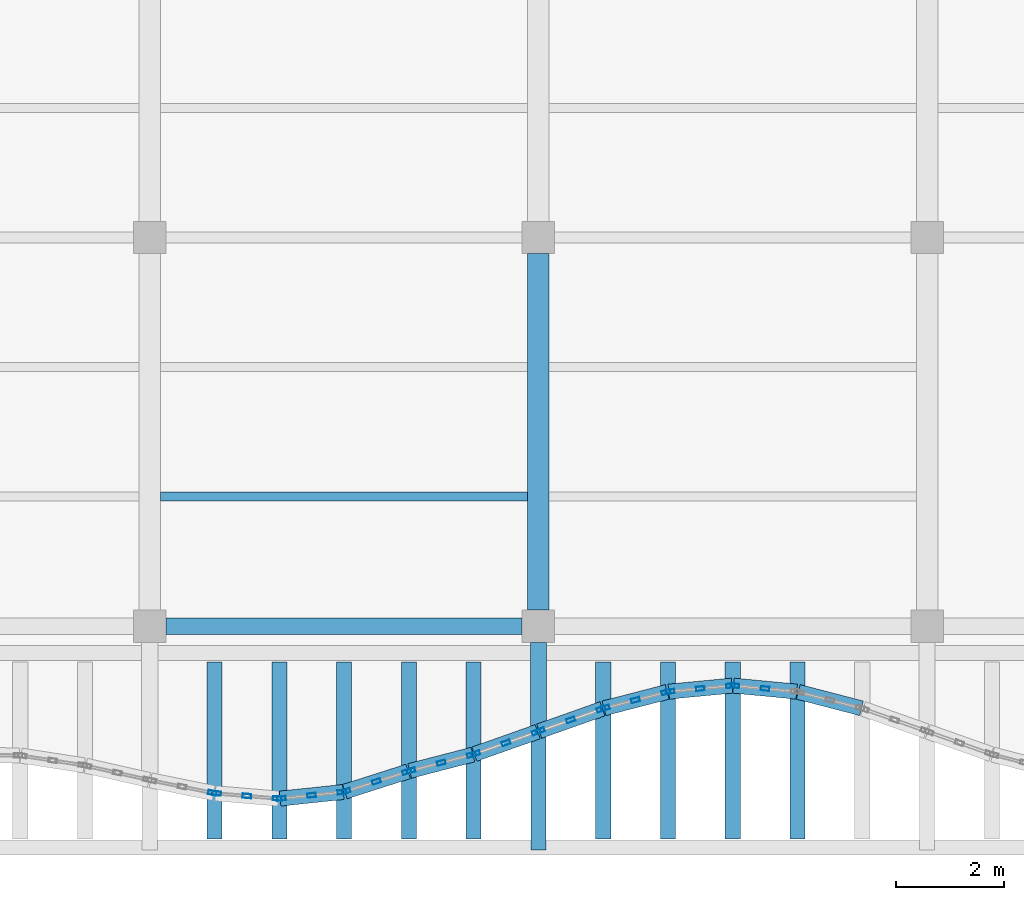
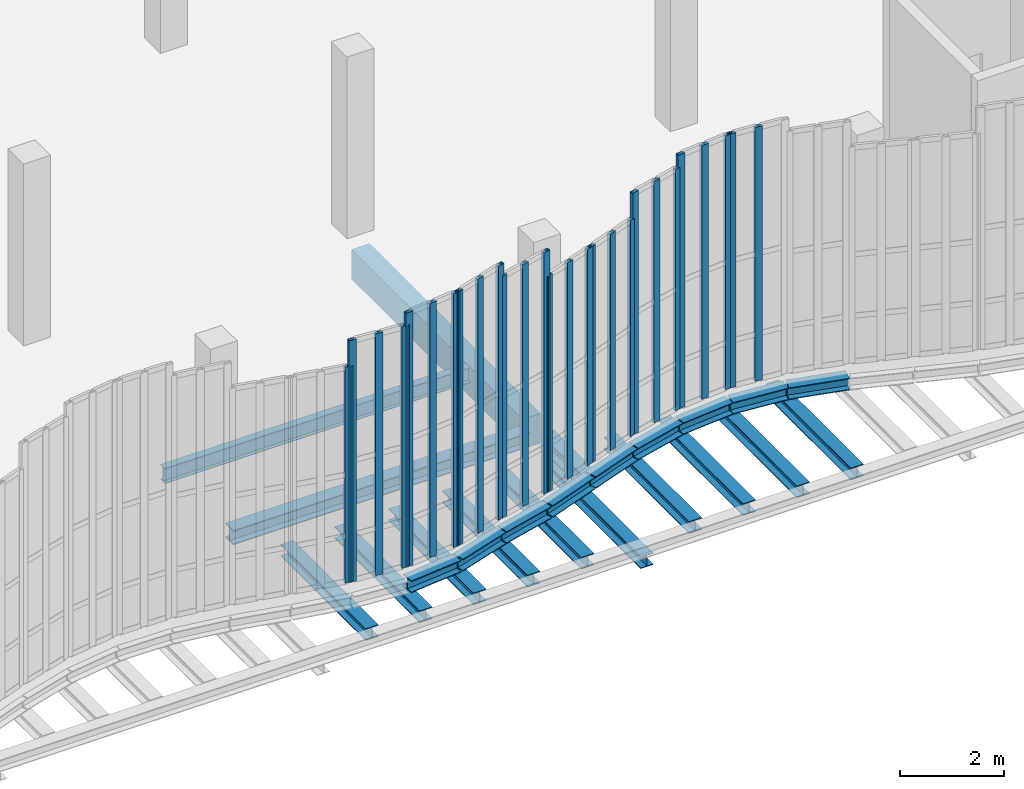
# One storey, part 21 of 76: 27 members, 23 beams, 10 elements without a shape of their own.
"""IFC4 building model written with IfcOpenShell, lengths in metres."""

from ifc_helpers import new_model, si_unit, direction, frame, origin, origin_2d, place, context, subcontext, project, spatial, rectangle, hollow_rectangle, i_section, extrude, material, layer, layer_set, material_profile, profile_set, type_object, element, aggregate, save


model = new_model("IFC4")

# Units and contexts
model_context = context("Model", 3, precision=1e-05, world=origin(), true_north=direction((0.0, 1.0)))
body_context = subcontext(model_context, "Body", "Model", "MODEL_VIEW")
ifc_project = project(units=[si_unit("LENGTHUNIT", "METRE"), si_unit("AREAUNIT", "SQUARE_METRE"), si_unit("VOLUMEUNIT", "CUBIC_METRE"), si_unit("PLANEANGLEUNIT", "RADIAN"), si_unit("MASSUNIT", "GRAM", prefix="KILO"), si_unit("THERMODYNAMICTEMPERATUREUNIT", "KELVIN"), si_unit("POWERUNIT", "WATT")], contexts=[model_context])

# Site, building, storey
site_placement = place(None, origin())
site = spatial("IfcSite", under=ifc_project, at=site_placement, CompositionType="ELEMENT")
building_placement = place(site_placement, origin())
building = spatial("IfcBuilding", under=site, at=building_placement, Name="Kaldorven Railside Theatre", CompositionType="ELEMENT")
storey_placement = place(building_placement, frame((0.0, 0.0, 14.39990234375)))
storey = spatial("IfcBuildingStorey", under=building, at=storey_placement, Name="L03", CompositionType="ELEMENT", Elevation=14.39990234375)

# Beams
ifc_material_1 = material(Name="Steel S355", Category="steel")
ifc_material_profile_1 = material_profile(ifc_material_1, i_section(OverallWidth=0.280029296875, OverallDepth=0.280029296875, WebThickness=0.010498046875, FlangeThickness=0.01806640625, at=origin_2d()), Name="HEB 280")
ifc_profile_set_1 = profile_set([ifc_material_profile_1], Name="Steel S355")
beam_type_1 = type_object("IfcBeamType", Name="BM-HEB280", PredefinedType="SPANDREL", material=ifc_profile_set_1)
beam_1_placement = place(storey_placement, frame((94.39990234375, 15.050048828125, -0.97998046875), z_axis=(0.0, 1.0, 0.0), x_axis=(-1.0, 0.0, 0.0)))
element("IfcBeam", 1, at=beam_1_placement, inside=storey, type_object=beam_type_1, Name="L03 Sinusoidal Lower Cantilever Girder FOB-K034", PredefinedType="SPANDREL", context=body_context, shape_type="SweptSolid", body=[
    extrude(i_section(OverallWidth=0.280029296875, OverallDepth=0.280029296875, WebThickness=0.010498046875, FlangeThickness=0.01806640625, at=origin_2d()), origin(), (0.0, 0.0, 1.0), 3.849853515625),
])
beam_2_placement = place(storey_placement, frame((88.39990234375, 15.260009765625, -0.699951171875), z_axis=(0.0, 1.0, 0.0), x_axis=(-1.0, 0.0, 0.0)))
element("IfcBeam", 2, at=beam_2_placement, inside=storey, type_object=beam_type_1, Name="L03 Sinusoidal Diaphragm Rib Outrigger FOB-M188", PredefinedType="SPANDREL", context=body_context, shape_type="SweptSolid", body=[
    extrude(i_section(OverallWidth=0.280029296875, OverallDepth=0.280029296875, WebThickness=0.010498046875, FlangeThickness=0.01806640625, at=origin_2d()), origin(), (0.0, 0.0, 1.0), 3.280029296875),
])
beam_3_placement = place(storey_placement, frame((89.614990234375, 16.005859375, -0.419921875), z_axis=(0.994538375892, 0.104371542473, 0.0), x_axis=(-0.104371542473, 0.994538375892, 0.0)))
element("IfcBeam", 3, at=beam_3_placement, inside=storey, type_object=beam_type_1, Name="L03 Sinusoidal Flute Edge Spandrel FSB-189", PredefinedType="SPANDREL", context=body_context, shape_type="SweptSolid", body=[
    extrude(i_section(OverallWidth=0.280029296875, OverallDepth=0.280029296875, WebThickness=0.010498046875, FlangeThickness=0.01806640625, at=origin_2d()), origin(), (0.0, 0.0, 1.0), 1.176513671875),
])
beam_4_placement = place(storey_placement, frame((89.60009765625, 15.260009765625, -0.699951171875), z_axis=(0.0, 1.0, 0.0), x_axis=(-1.0, 0.0, 0.0)))
element("IfcBeam", 4, at=beam_4_placement, inside=storey, type_object=beam_type_1, Name="L03 Sinusoidal Diaphragm Rib Outrigger FOB-M189", PredefinedType="SPANDREL", context=body_context, shape_type="SweptSolid", body=[
    extrude(i_section(OverallWidth=0.280029296875, OverallDepth=0.280029296875, WebThickness=0.010498046875, FlangeThickness=0.01806640625, at=origin_2d()), origin(), (0.0, 0.0, 1.0), 3.280029296875),
])
beam_5_placement = place(storey_placement, frame((90.814208984375, 16.135009765625, -0.419921875), z_axis=(0.952560057376, 0.304350681108, 0.0), x_axis=(-0.304350681108, 0.952560057376, 0.0)))
element("IfcBeam", 5, at=beam_5_placement, inside=storey, type_object=beam_type_1, Name="L03 Sinusoidal Flute Edge Spandrel FSB-190", PredefinedType="SPANDREL", context=body_context, shape_type="SweptSolid", body=[
    extrude(i_section(OverallWidth=0.280029296875, OverallDepth=0.280029296875, WebThickness=0.010498046875, FlangeThickness=0.01806640625, at=origin_2d()), origin(), (0.0, 0.0, 1.0), 1.229736328125),
])
beam_6_placement = place(storey_placement, frame((90.800048828125, 15.260009765625, -0.699951171875), z_axis=(0.0, 1.0, 0.0), x_axis=(-1.0, 0.0, 0.0)))
element("IfcBeam", 6, at=beam_6_placement, inside=storey, type_object=beam_type_1, Name="L03 Sinusoidal Diaphragm Rib Outrigger FOB-M190", PredefinedType="SPANDREL", context=body_context, shape_type="SweptSolid", body=[
    extrude(i_section(OverallWidth=0.280029296875, OverallDepth=0.280029296875, WebThickness=0.010498046875, FlangeThickness=0.01806640625, at=origin_2d()), origin(), (0.0, 0.0, 1.0), 3.280029296875),
])
beam_7_placement = place(storey_placement, frame((92.014404296875, 16.517578125, -0.419921875), z_axis=(0.967980555895, 0.25102518481, 0.0), x_axis=(-0.25102518481, 0.967980555895, 0.0)))
element("IfcBeam", 7, at=beam_7_placement, inside=storey, type_object=beam_type_1, Name="L03 Sinusoidal Flute Edge Spandrel FSB-191", PredefinedType="SPANDREL", context=body_context, shape_type="SweptSolid", body=[
    extrude(i_section(OverallWidth=0.280029296875, OverallDepth=0.280029296875, WebThickness=0.010498046875, FlangeThickness=0.01806640625, at=origin_2d()), origin(), (0.0, 0.0, 1.0), 1.2099609375),
])
beam_8_placement = place(storey_placement, frame((92.0, 15.260009765625, -0.699951171875), z_axis=(0.0, 1.0, 0.0), x_axis=(-1.0, 0.0, 0.0)))
element("IfcBeam", 8, at=beam_8_placement, inside=storey, type_object=beam_type_1, Name="L03 Sinusoidal Diaphragm Rib Outrigger FOB-M191", PredefinedType="SPANDREL", context=body_context, shape_type="SweptSolid", body=[
    extrude(i_section(OverallWidth=0.280029296875, OverallDepth=0.280029296875, WebThickness=0.010498046875, FlangeThickness=0.01806640625, at=origin_2d()), origin(), (0.0, 0.0, 1.0), 3.280029296875),
])
beam_9_placement = place(storey_placement, frame((93.214111328125, 16.830078125, -0.419921875), z_axis=(0.942627225161, 0.333847142245, 0.0), x_axis=(-0.333847142245, 0.942627225161, 0.0)))
element("IfcBeam", 9, at=beam_9_placement, inside=storey, type_object=beam_type_1, Name="L03 Sinusoidal Flute Edge Spandrel FSB-192", PredefinedType="SPANDREL", context=body_context, shape_type="SweptSolid", body=[
    extrude(i_section(OverallWidth=0.280029296875, OverallDepth=0.280029296875, WebThickness=0.010498046875, FlangeThickness=0.01806640625, at=origin_2d()), origin(), (0.0, 0.0, 1.0), 1.2431640625),
])
beam_10_placement = place(storey_placement, frame((93.199951171875, 15.260009765625, -0.699951171875), z_axis=(0.0, 1.0, 0.0), x_axis=(-1.0, 0.0, 0.0)))
element("IfcBeam", 10, at=beam_10_placement, inside=storey, type_object=beam_type_1, Name="L03 Sinusoidal Diaphragm Rib Outrigger FOB-M192", PredefinedType="SPANDREL", context=body_context, shape_type="SweptSolid", body=[
    extrude(i_section(OverallWidth=0.280029296875, OverallDepth=0.280029296875, WebThickness=0.010498046875, FlangeThickness=0.01806640625, at=origin_2d()), origin(), (0.0, 0.0, 1.0), 3.280029296875),
])
beam_11_placement = place(storey_placement, frame((94.4140625, 17.2548828125, -0.419921875), z_axis=(0.942627225161, 0.333847142245, 0.0), x_axis=(-0.333847142245, 0.942627225161, 0.0)))
element("IfcBeam", 11, at=beam_11_placement, inside=storey, type_object=beam_type_1, Name="L03 Sinusoidal Flute Edge Spandrel FSB-193", PredefinedType="SPANDREL", context=body_context, shape_type="SweptSolid", body=[
    extrude(i_section(OverallWidth=0.280029296875, OverallDepth=0.280029296875, WebThickness=0.010498046875, FlangeThickness=0.01806640625, at=origin_2d()), origin(), (0.0, 0.0, 1.0), 1.2431640625),
])
beam_12_placement = place(storey_placement, frame((95.614501953125, 17.6787109375, -0.419921875), z_axis=(0.967967836725, 0.251074226206, 0.0), x_axis=(-0.251074226206, 0.967967836725, 0.0)))
element("IfcBeam", 12, at=beam_12_placement, inside=storey, type_object=beam_type_1, Name="L03 Sinusoidal Flute Edge Spandrel FSB-194", PredefinedType="SPANDREL", context=body_context, shape_type="SweptSolid", body=[
    extrude(i_section(OverallWidth=0.280029296875, OverallDepth=0.280029296875, WebThickness=0.010498046875, FlangeThickness=0.01806640625, at=origin_2d()), origin(), (0.0, 0.0, 1.0), 1.209716796875),
])
beam_13_placement = place(storey_placement, frame((95.60009765625, 15.260009765625, -0.699951171875), z_axis=(0.0, 1.0, 0.0), x_axis=(-1.0, 0.0, 0.0)))
element("IfcBeam", 13, at=beam_13_placement, inside=storey, type_object=beam_type_1, Name="L03 Sinusoidal Diaphragm Rib Outrigger FOB-M194", PredefinedType="SPANDREL", context=body_context, shape_type="SweptSolid", body=[
    extrude(i_section(OverallWidth=0.280029296875, OverallDepth=0.280029296875, WebThickness=0.010498046875, FlangeThickness=0.01806640625, at=origin_2d()), origin(), (0.0, 0.0, 1.0), 3.280029296875),
])
beam_14_placement = place(storey_placement, frame((96.81494140625, 17.987548828125, -0.419921875), z_axis=(0.99552436473, 0.094505233873, 0.0), x_axis=(-0.094505233873, 0.99552436473, 0.0)))
element("IfcBeam", 14, at=beam_14_placement, inside=storey, type_object=beam_type_1, Name="L03 Sinusoidal Flute Edge Spandrel FSB-195", PredefinedType="SPANDREL", context=body_context, shape_type="SweptSolid", body=[
    extrude(i_section(OverallWidth=0.280029296875, OverallDepth=0.280029296875, WebThickness=0.010498046875, FlangeThickness=0.01806640625, at=origin_2d()), origin(), (0.0, 0.0, 1.0), 1.175537109375),
])
beam_15_placement = place(storey_placement, frame((96.800048828125, 15.260009765625, -0.699951171875), z_axis=(0.0, 1.0, 0.0), x_axis=(-1.0, 0.0, 0.0)))
element("IfcBeam", 15, at=beam_15_placement, inside=storey, type_object=beam_type_1, Name="L03 Sinusoidal Diaphragm Rib Outrigger FOB-M195", PredefinedType="SPANDREL", context=body_context, shape_type="SweptSolid", body=[
    extrude(i_section(OverallWidth=0.280029296875, OverallDepth=0.280029296875, WebThickness=0.010498046875, FlangeThickness=0.01806640625, at=origin_2d()), origin(), (0.0, 0.0, 1.0), 3.280029296875),
])
beam_16_placement = place(storey_placement, frame((98.014892578125, 18.0986328125, -0.419921875), z_axis=(0.99552436473, -0.094505233873, 0.0), x_axis=(0.094505233873, 0.99552436473, 0.0)))
element("IfcBeam", 16, at=beam_16_placement, inside=storey, type_object=beam_type_1, Name="L03 Sinusoidal Flute Edge Spandrel FSB-196", PredefinedType="SPANDREL", context=body_context, shape_type="SweptSolid", body=[
    extrude(i_section(OverallWidth=0.280029296875, OverallDepth=0.280029296875, WebThickness=0.010498046875, FlangeThickness=0.01806640625, at=origin_2d()), origin(), (0.0, 0.0, 1.0), 1.175537109375),
])
beam_17_placement = place(storey_placement, frame((98.0, 15.260009765625, -0.699951171875), z_axis=(0.0, 1.0, 0.0), x_axis=(-1.0, 0.0, 0.0)))
element("IfcBeam", 17, at=beam_17_placement, inside=storey, type_object=beam_type_1, Name="L03 Sinusoidal Diaphragm Rib Outrigger FOB-M196", PredefinedType="SPANDREL", context=body_context, shape_type="SweptSolid", body=[
    extrude(i_section(OverallWidth=0.280029296875, OverallDepth=0.280029296875, WebThickness=0.010498046875, FlangeThickness=0.01806640625, at=origin_2d()), origin(), (0.0, 0.0, 1.0), 3.280029296875),
])
beam_18_placement = place(storey_placement, frame((99.214599609375, 17.982421875, -0.419921875), z_axis=(0.967967836725, -0.251074226206, 0.0), x_axis=(0.251074226206, 0.967967836725, 0.0)))
element("IfcBeam", 18, at=beam_18_placement, inside=storey, type_object=beam_type_1, Name="L03 Sinusoidal Flute Edge Spandrel FSB-197", PredefinedType="SPANDREL", context=body_context, shape_type="SweptSolid", body=[
    extrude(i_section(OverallWidth=0.280029296875, OverallDepth=0.280029296875, WebThickness=0.010498046875, FlangeThickness=0.01806640625, at=origin_2d()), origin(), (0.0, 0.0, 1.0), 1.209716796875),
])
beam_19_placement = place(storey_placement, frame((99.199951171875, 15.260009765625, -0.699951171875), z_axis=(0.0, 1.0, 0.0), x_axis=(-1.0, 0.0, 0.0)))
element("IfcBeam", 19, at=beam_19_placement, inside=storey, type_object=beam_type_1, Name="L03 Sinusoidal Diaphragm Rib Outrigger FOB-M197", PredefinedType="SPANDREL", context=body_context, shape_type="SweptSolid", body=[
    extrude(i_section(OverallWidth=0.280029296875, OverallDepth=0.280029296875, WebThickness=0.010498046875, FlangeThickness=0.01806640625, at=origin_2d()), origin(), (0.0, 0.0, 1.0), 3.280029296875),
])
ifc_material_profile_2 = material_profile(ifc_material_1, i_section(OverallWidth=0.300048828125, OverallDepth=0.340087890625, WebThickness=0.011962890625, FlangeThickness=0.021484375, at=origin_2d()), Name="HEB 340")
ifc_profile_set_2 = profile_set([ifc_material_profile_2], Name="Steel S355")
beam_type_2 = type_object("IfcBeamType", Name="BM-HEB340", PredefinedType="SPANDREL", material=ifc_profile_set_2)
beam_20_placement = place(storey_placement, frame((87.5, 19.199951171875, -0.449951171875), z_axis=(1.0, 0.0, 0.0), x_axis=(0.0, 1.0, 0.0)))
element("IfcBeam", 20, at=beam_20_placement, inside=storey, type_object=beam_type_2, Name="L03 Girder BGX-L03-087-019", PredefinedType="SPANDREL", context=body_context, shape_type="SweptSolid", body=[
    extrude(i_section(OverallWidth=0.300048828125, OverallDepth=0.340087890625, WebThickness=0.011962890625, FlangeThickness=0.021484375, at=origin_2d()), origin(), (0.0, 0.0, 1.0), 6.60009765625),
])
beam_21_placement = place(storey_placement, frame((94.39990234375, 17.31005859375, -0.449951171875), z_axis=(0.0, 1.0, 0.0), x_axis=(-1.0, 0.0, 0.0)))
element("IfcBeam", 21, at=beam_21_placement, inside=storey, type_object=beam_type_2, Name="L03 Sinusoidal Veil Outrigger FOB-3094", PredefinedType="SPANDREL", context=body_context, shape_type="SweptSolid", body=[
    extrude(i_section(OverallWidth=0.300048828125, OverallDepth=0.340087890625, WebThickness=0.011962890625, FlangeThickness=0.021484375, at=origin_2d()), origin(), (0.0, 0.0, 1.0), 1.58984375),
])
ifc_material_profile_3 = material_profile(ifc_material_1, i_section(OverallWidth=0.169921875, OverallDepth=0.360107421875, WebThickness=0.008056640625, FlangeThickness=0.0126953125, at=origin_2d()), Name="IPE 360")
ifc_profile_set_3 = profile_set([ifc_material_profile_3], Name="Steel S355")
beam_type_3 = type_object("IfcBeamType", Name="BM-IPE360", PredefinedType="JOIST", material=ifc_profile_set_3)
beam_22_placement = place(storey_placement, frame((87.39990234375, 21.60009765625, -0.4599609375), z_axis=(1.0, 0.0, 0.0), x_axis=(0.0, 1.0, 0.0)))
element("IfcBeam", 22, at=beam_22_placement, inside=storey, type_object=beam_type_3, Name="L03 Secondary Floor Joist JG-L03-087-0216", PredefinedType="JOIST", context=body_context, shape_type="SweptSolid", body=[
    extrude(i_section(OverallWidth=0.169921875, OverallDepth=0.360107421875, WebThickness=0.008056640625, FlangeThickness=0.0126953125, at=origin_2d()), origin(), (0.0, 0.0, 1.0), 6.800048828125),
])
ifc_material_2 = material(Name="Concrete C40/50", Category="concrete")
ifc_material_profile_4 = material_profile(ifc_material_2, rectangle(XDim=0.39990234375, YDim=0.699951171875, at=origin_2d()), Name="RC 400x700")
ifc_profile_set_4 = profile_set([ifc_material_profile_4], Name="Concrete C40/50")
beam_type_4 = type_object("IfcBeamType", Name="BM-RC400x700", PredefinedType="BEAM", material=ifc_profile_set_4)
beam_23_placement = place(storey_placement, frame((94.39990234375, 19.5, -0.6298828125), z_axis=(0.0, 1.0, 0.0), x_axis=(-1.0, 0.0, 0.0)))
element("IfcBeam", 23, at=beam_23_placement, inside=storey, type_object=beam_type_4, Name="L03 Girder BGY-L03-094-019-72", PredefinedType="BEAM", context=body_context, shape_type="SweptSolid", body=[
    extrude(rectangle(XDim=0.39990234375, YDim=0.699951171875, at=origin_2d()), origin(), (0.0, 0.0, 1.0), 6.60009765625),
])

# Curtain wall, member
ifc_material_3 = material(Name="Low-E laminated solar-control glass", Category="glass")
ifc_layer_1 = layer(ifc_material_3, 0.159912109375, Name="Low-E laminated solar-control glass")
ifc_layer_set_1 = layer_set([ifc_layer_1], Name="Low-E laminated solar-control glass")
curtain_wall_type_1 = type_object("IfcCurtainWallType", Name="CWT-20", PredefinedType="USERDEFINED", material=ifc_layer_set_1)
curtain_wall_1_placement = place(storey_placement, origin())
curtain_wall_1 = element("IfcCurtainWall", 24, at=curtain_wall_1_placement, inside=storey, type_object=curtain_wall_type_1, Name="Sinusoidal Fluted Curtain Wall CW-L03-S43", ObjectType="FLUTED GLAZING", PredefinedType="USERDEFINED")
ifc_material_4 = material(Name="Anodised bronze aluminium", Category="aluminium")
ifc_material_profile_5 = material_profile(ifc_material_4, hollow_rectangle(XDim=0.080078125, YDim=0.159912109375, WallThickness=0.00634765625, at=origin_2d()), Name="RHS 160x80x6.3")
ifc_profile_set_5 = profile_set([ifc_material_profile_5], Name="Anodised bronze aluminium")
member_type = type_object("IfcMemberType", Name="CWM-160", PredefinedType="MULLION", material=ifc_profile_set_5)
member_1_placement = place(storey_placement, frame((88.36083984375, 16.1123046875, 0.0), z_axis=(0.0, 0.0, 1.0), x_axis=(0.198393134453, 0.980122525097, 0.0)))
member_1 = element("IfcMember", 25, at=member_1_placement, type_object=member_type, Name="CW-L03-S43 mullion 3", PredefinedType="MULLION", context=body_context, shape_type="SweptSolid", body=[
    extrude(hollow_rectangle(XDim=0.080078125, YDim=0.159912109375, WallThickness=0.00634765625, at=origin_2d()), origin(), (0.0, 0.0, 1.0), 5.090087890625),
])
aggregate(curtain_wall_1, [member_1])

# Curtain wall, members
ifc_layer_2 = layer(ifc_material_3, 0.159912109375, Name="Low-E laminated solar-control glass")
ifc_layer_set_2 = layer_set([ifc_layer_2], Name="Low-E laminated solar-control glass")
curtain_wall_type_2 = type_object("IfcCurtainWallType", Name="CWT-21", PredefinedType="USERDEFINED", material=ifc_layer_set_2)
curtain_wall_2_placement = place(storey_placement, origin())
curtain_wall_2 = element("IfcCurtainWall", 26, at=curtain_wall_2_placement, inside=storey, type_object=curtain_wall_type_2, Name="Sinusoidal Fluted Curtain Wall CW-L03-S44", ObjectType="FLUTED GLAZING", PredefinedType="USERDEFINED")
member_2_placement = place(storey_placement, frame((88.43994140625, 16.10107421875, 0.0), z_axis=(0.0, 0.0, 1.0), x_axis=(0.08321042194, 0.996531999326, 0.0)))
member_2 = element("IfcMember", 27, at=member_2_placement, type_object=member_type, Name="CW-L03-S44 mullion 1", PredefinedType="MULLION", context=body_context, shape_type="SweptSolid", body=[
    extrude(hollow_rectangle(XDim=0.080078125, YDim=0.159912109375, WallThickness=0.00634765625, at=origin_2d()), origin(), (0.0, 0.0, 1.0), 5.690185546875),
])
member_3_placement = place(storey_placement, frame((89.0, 16.05419921875, 0.0), z_axis=(0.0, 0.0, 1.0), x_axis=(0.08321042194, 0.996531999326, 0.0)))
member_3 = element("IfcMember", 28, at=member_3_placement, type_object=member_type, Name="CW-L03-S44 mullion 2", PredefinedType="MULLION", context=body_context, shape_type="SweptSolid", body=[
    extrude(hollow_rectangle(XDim=0.080078125, YDim=0.159912109375, WallThickness=0.00634765625, at=origin_2d()), origin(), (0.0, 0.0, 1.0), 5.690185546875),
])
member_4_placement = place(storey_placement, frame((89.56005859375, 16.007568359375, 0.0), z_axis=(0.0, 0.0, 1.0), x_axis=(0.08321042194, 0.996531999326, 0.0)))
member_4 = element("IfcMember", 29, at=member_4_placement, type_object=member_type, Name="CW-L03-S44 mullion 3", PredefinedType="MULLION", context=body_context, shape_type="SweptSolid", body=[
    extrude(hollow_rectangle(XDim=0.080078125, YDim=0.159912109375, WallThickness=0.00634765625, at=origin_2d()), origin(), (0.0, 0.0, 1.0), 5.690185546875),
])
aggregate(curtain_wall_2, [member_2, member_3, member_4])

ifc_layer_3 = layer(ifc_material_3, 0.159912109375, Name="Low-E laminated solar-control glass")
ifc_layer_set_3 = layer_set([ifc_layer_3], Name="Low-E laminated solar-control glass")
curtain_wall_type_3 = type_object("IfcCurtainWallType", Name="CWT-10", PredefinedType="USERDEFINED", material=ifc_layer_set_3)
curtain_wall_3_placement = place(storey_placement, origin())
curtain_wall_3 = element("IfcCurtainWall", 30, at=curtain_wall_3_placement, inside=storey, type_object=curtain_wall_type_3, Name="Sinusoidal Fluted Curtain Wall CW-L03-S45", ObjectType="FLUTED GLAZING", PredefinedType="USERDEFINED")
member_5_placement = place(storey_placement, frame((89.639892578125, 16.00830078125, 0.0), z_axis=(0.0, 0.0, 1.0), x_axis=(-0.104507902898, 0.994524056135, 0.0)))
member_5 = element("IfcMember", 31, at=member_5_placement, type_object=member_type, Name="CW-L03-S45 mullion 1", PredefinedType="MULLION", context=body_context, shape_type="SweptSolid", body=[
    extrude(hollow_rectangle(XDim=0.080078125, YDim=0.159912109375, WallThickness=0.00634765625, at=origin_2d()), origin(), (0.0, 0.0, 1.0), 5.97998046875),
])
member_6_placement = place(storey_placement, frame((90.199951171875, 16.067138671875, 0.0), z_axis=(0.0, 0.0, 1.0), x_axis=(-0.104507902898, 0.994524056135, 0.0)))
member_6 = element("IfcMember", 32, at=member_6_placement, type_object=member_type, Name="CW-L03-S45 mullion 2", PredefinedType="MULLION", context=body_context, shape_type="SweptSolid", body=[
    extrude(hollow_rectangle(XDim=0.080078125, YDim=0.159912109375, WallThickness=0.00634765625, at=origin_2d()), origin(), (0.0, 0.0, 1.0), 5.97998046875),
])
member_7_placement = place(storey_placement, frame((90.76025390625, 16.126220703125, 0.0), z_axis=(0.0, 0.0, 1.0), x_axis=(-0.104507902898, 0.994524056135, 0.0)))
member_7 = element("IfcMember", 33, at=member_7_placement, type_object=member_type, Name="CW-L03-S45 mullion 3", PredefinedType="MULLION", context=body_context, shape_type="SweptSolid", body=[
    extrude(hollow_rectangle(XDim=0.080078125, YDim=0.159912109375, WallThickness=0.00634765625, at=origin_2d()), origin(), (0.0, 0.0, 1.0), 5.97998046875),
])
aggregate(curtain_wall_3, [member_5, member_6, member_7])

ifc_layer_4 = layer(ifc_material_3, 0.159912109375, Name="Low-E laminated solar-control glass")
ifc_layer_set_4 = layer_set([ifc_layer_4], Name="Low-E laminated solar-control glass")
curtain_wall_type_4 = type_object("IfcCurtainWallType", Name="CWT-11", PredefinedType="USERDEFINED", material=ifc_layer_set_4)
curtain_wall_4_placement = place(storey_placement, origin())
curtain_wall_4 = element("IfcCurtainWall", 34, at=curtain_wall_4_placement, inside=storey, type_object=curtain_wall_type_4, Name="Sinusoidal Fluted Curtain Wall CW-L03-S46", ObjectType="FLUTED GLAZING", PredefinedType="USERDEFINED")
member_8_placement = place(storey_placement, frame((90.838134765625, 16.142578125, 0.0), z_axis=(0.0, 0.0, 1.0), x_axis=(-0.304487700272, 0.952516267779, 0.0)))
member_8 = element("IfcMember", 35, at=member_8_placement, type_object=member_type, Name="CW-L03-S46 mullion 1", PredefinedType="MULLION", context=body_context, shape_type="SweptSolid", body=[
    extrude(hollow_rectangle(XDim=0.080078125, YDim=0.159912109375, WallThickness=0.00634765625, at=origin_2d()), origin(), (0.0, 0.0, 1.0), 5.97998046875),
])
member_9_placement = place(storey_placement, frame((91.39990234375, 16.322021484375, 0.0), z_axis=(0.0, 0.0, 1.0), x_axis=(-0.304487700272, 0.952516267779, 0.0)))
member_9 = element("IfcMember", 36, at=member_9_placement, type_object=member_type, Name="CW-L03-S46 mullion 2", PredefinedType="MULLION", context=body_context, shape_type="SweptSolid", body=[
    extrude(hollow_rectangle(XDim=0.080078125, YDim=0.159912109375, WallThickness=0.00634765625, at=origin_2d()), origin(), (0.0, 0.0, 1.0), 5.97998046875),
])
member_10_placement = place(storey_placement, frame((91.9619140625, 16.501708984375, 0.0), z_axis=(0.0, 0.0, 1.0), x_axis=(-0.304487700272, 0.952516267779, 0.0)))
member_10 = element("IfcMember", 37, at=member_10_placement, type_object=member_type, Name="CW-L03-S46 mullion 3", PredefinedType="MULLION", context=body_context, shape_type="SweptSolid", body=[
    extrude(hollow_rectangle(XDim=0.080078125, YDim=0.159912109375, WallThickness=0.00634765625, at=origin_2d()), origin(), (0.0, 0.0, 1.0), 5.97998046875),
])
aggregate(curtain_wall_4, [member_8, member_9, member_10])

ifc_layer_5 = layer(ifc_material_3, 0.159912109375, Name="Low-E laminated solar-control glass")
ifc_layer_set_5 = layer_set([ifc_layer_5], Name="Low-E laminated solar-control glass")
curtain_wall_type_5 = type_object("IfcCurtainWallType", Name="CWT-09", PredefinedType="USERDEFINED", material=ifc_layer_set_5)
curtain_wall_5_placement = place(storey_placement, origin())
curtain_wall_5 = element("IfcCurtainWall", 38, at=curtain_wall_5_placement, inside=storey, type_object=curtain_wall_type_5, Name="Sinusoidal Fluted Curtain Wall CW-L03-S47", ObjectType="FLUTED GLAZING", PredefinedType="USERDEFINED")
member_11_placement = place(storey_placement, frame((92.038818359375, 16.52392578125, 0.0), z_axis=(0.0, 0.0, 1.0), x_axis=(-0.250953760326, 0.967999075505, 0.0)))
member_11 = element("IfcMember", 39, at=member_11_placement, type_object=member_type, Name="CW-L03-S47 mullion 1", PredefinedType="MULLION", context=body_context, shape_type="SweptSolid", body=[
    extrude(hollow_rectangle(XDim=0.080078125, YDim=0.159912109375, WallThickness=0.00634765625, at=origin_2d()), origin(), (0.0, 0.0, 1.0), 5.690185546875),
])
member_12_placement = place(storey_placement, frame((92.60009765625, 16.66943359375, 0.0), z_axis=(0.0, 0.0, 1.0), x_axis=(-0.250953760326, 0.967999075505, 0.0)))
member_12 = element("IfcMember", 40, at=member_12_placement, type_object=member_type, Name="CW-L03-S47 mullion 2", PredefinedType="MULLION", context=body_context, shape_type="SweptSolid", body=[
    extrude(hollow_rectangle(XDim=0.080078125, YDim=0.159912109375, WallThickness=0.00634765625, at=origin_2d()), origin(), (0.0, 0.0, 1.0), 5.690185546875),
])
member_13_placement = place(storey_placement, frame((93.161376953125, 16.81494140625, 0.0), z_axis=(0.0, 0.0, 1.0), x_axis=(-0.250953760326, 0.967999075505, 0.0)))
member_13 = element("IfcMember", 41, at=member_13_placement, type_object=member_type, Name="CW-L03-S47 mullion 3", PredefinedType="MULLION", context=body_context, shape_type="SweptSolid", body=[
    extrude(hollow_rectangle(XDim=0.080078125, YDim=0.159912109375, WallThickness=0.00634765625, at=origin_2d()), origin(), (0.0, 0.0, 1.0), 5.690185546875),
])
aggregate(curtain_wall_5, [member_11, member_12, member_13])

ifc_layer_6 = layer(ifc_material_3, 0.159912109375, Name="Low-E laminated solar-control glass")
ifc_layer_set_6 = layer_set([ifc_layer_6], Name="Low-E laminated solar-control glass")
curtain_wall_type_6 = type_object("IfcCurtainWallType", Name="CWT-08", PredefinedType="USERDEFINED", material=ifc_layer_set_6)
curtain_wall_6_placement = place(storey_placement, origin())
curtain_wall_6 = element("IfcCurtainWall", 42, at=curtain_wall_6_placement, inside=storey, type_object=curtain_wall_type_6, Name="Sinusoidal Fluted Curtain Wall CW-L03-S48", ObjectType="FLUTED GLAZING", PredefinedType="USERDEFINED")
member_14_placement = place(storey_placement, frame((93.23779296875, 16.83837890625, 0.0), z_axis=(0.0, 0.0, 1.0), x_axis=(-0.33384714225, 0.942627225159, 0.0)))
member_14 = element("IfcMember", 43, at=member_14_placement, type_object=member_type, Name="CW-L03-S48 mullion 1", PredefinedType="MULLION", context=body_context, shape_type="SweptSolid", body=[
    extrude(hollow_rectangle(XDim=0.080078125, YDim=0.159912109375, WallThickness=0.00634765625, at=origin_2d()), origin(), (0.0, 0.0, 1.0), 5.090087890625),
])
member_15_placement = place(storey_placement, frame((93.800048828125, 17.03759765625, 0.0), z_axis=(0.0, 0.0, 1.0), x_axis=(-0.33384714225, 0.942627225159, 0.0)))
member_15 = element("IfcMember", 44, at=member_15_placement, type_object=member_type, Name="CW-L03-S48 mullion 2", PredefinedType="MULLION", context=body_context, shape_type="SweptSolid", body=[
    extrude(hollow_rectangle(XDim=0.080078125, YDim=0.159912109375, WallThickness=0.00634765625, at=origin_2d()), origin(), (0.0, 0.0, 1.0), 5.090087890625),
])
member_16_placement = place(storey_placement, frame((94.3623046875, 17.236572265625, 0.0), z_axis=(0.0, 0.0, 1.0), x_axis=(-0.33384714225, 0.942627225159, 0.0)))
member_16 = element("IfcMember", 45, at=member_16_placement, type_object=member_type, Name="CW-L03-S48 mullion 3", PredefinedType="MULLION", context=body_context, shape_type="SweptSolid", body=[
    extrude(hollow_rectangle(XDim=0.080078125, YDim=0.159912109375, WallThickness=0.00634765625, at=origin_2d()), origin(), (0.0, 0.0, 1.0), 5.090087890625),
])
aggregate(curtain_wall_6, [member_14, member_15, member_16])

curtain_wall_7_placement = place(storey_placement, origin())
curtain_wall_7 = element("IfcCurtainWall", 46, at=curtain_wall_7_placement, inside=storey, type_object=curtain_wall_type_6, Name="Sinusoidal Fluted Curtain Wall CW-L03-S49", ObjectType="FLUTED GLAZING", PredefinedType="USERDEFINED")
member_17_placement = place(storey_placement, frame((94.437744140625, 17.263427734375, 0.0), z_axis=(0.0, 0.0, 1.0), x_axis=(-0.33384714225, 0.942627225159, 0.0)))
member_17 = element("IfcMember", 47, at=member_17_placement, type_object=member_type, Name="CW-L03-S49 mullion 1", PredefinedType="MULLION", context=body_context, shape_type="SweptSolid", body=[
    extrude(hollow_rectangle(XDim=0.080078125, YDim=0.159912109375, WallThickness=0.00634765625, at=origin_2d()), origin(), (0.0, 0.0, 1.0), 5.090087890625),
])
member_18_placement = place(storey_placement, frame((95.0, 17.46240234375, 0.0), z_axis=(0.0, 0.0, 1.0), x_axis=(-0.33384714225, 0.942627225159, 0.0)))
member_18 = element("IfcMember", 48, at=member_18_placement, type_object=member_type, Name="CW-L03-S49 mullion 2", PredefinedType="MULLION", context=body_context, shape_type="SweptSolid", body=[
    extrude(hollow_rectangle(XDim=0.080078125, YDim=0.159912109375, WallThickness=0.00634765625, at=origin_2d()), origin(), (0.0, 0.0, 1.0), 5.090087890625),
])
member_19_placement = place(storey_placement, frame((95.562255859375, 17.66162109375, 0.0), z_axis=(0.0, 0.0, 1.0), x_axis=(-0.33384714225, 0.942627225159, 0.0)))
member_19 = element("IfcMember", 49, at=member_19_placement, type_object=member_type, Name="CW-L03-S49 mullion 3", PredefinedType="MULLION", context=body_context, shape_type="SweptSolid", body=[
    extrude(hollow_rectangle(XDim=0.080078125, YDim=0.159912109375, WallThickness=0.00634765625, at=origin_2d()), origin(), (0.0, 0.0, 1.0), 5.090087890625),
])
aggregate(curtain_wall_7, [member_17, member_18, member_19])

curtain_wall_8_placement = place(storey_placement, origin())
curtain_wall_8 = element("IfcCurtainWall", 50, at=curtain_wall_8_placement, inside=storey, type_object=curtain_wall_type_5, Name="Sinusoidal Fluted Curtain Wall CW-L03-S50", ObjectType="FLUTED GLAZING", PredefinedType="USERDEFINED")
member_20_placement = place(storey_placement, frame((95.638671875, 17.68505859375, 0.0), z_axis=(0.0, 0.0, 1.0), x_axis=(-0.250953760326, 0.967999075505, 0.0)))
member_20 = element("IfcMember", 51, at=member_20_placement, type_object=member_type, Name="CW-L03-S50 mullion 1", PredefinedType="MULLION", context=body_context, shape_type="SweptSolid", body=[
    extrude(hollow_rectangle(XDim=0.080078125, YDim=0.159912109375, WallThickness=0.00634765625, at=origin_2d()), origin(), (0.0, 0.0, 1.0), 5.690185546875),
])
member_21_placement = place(storey_placement, frame((96.199951171875, 17.83056640625, 0.0), z_axis=(0.0, 0.0, 1.0), x_axis=(-0.250953760326, 0.967999075505, 0.0)))
member_21 = element("IfcMember", 52, at=member_21_placement, type_object=member_type, Name="CW-L03-S50 mullion 2", PredefinedType="MULLION", context=body_context, shape_type="SweptSolid", body=[
    extrude(hollow_rectangle(XDim=0.080078125, YDim=0.159912109375, WallThickness=0.00634765625, at=origin_2d()), origin(), (0.0, 0.0, 1.0), 5.690185546875),
])
member_22_placement = place(storey_placement, frame((96.76123046875, 17.97607421875, 0.0), z_axis=(0.0, 0.0, 1.0), x_axis=(-0.250953760326, 0.967999075505, 0.0)))
member_22 = element("IfcMember", 53, at=member_22_placement, type_object=member_type, Name="CW-L03-S50 mullion 3", PredefinedType="MULLION", context=body_context, shape_type="SweptSolid", body=[
    extrude(hollow_rectangle(XDim=0.080078125, YDim=0.159912109375, WallThickness=0.00634765625, at=origin_2d()), origin(), (0.0, 0.0, 1.0), 5.690185546875),
])
aggregate(curtain_wall_8, [member_20, member_21, member_22])

curtain_wall_9_placement = place(storey_placement, origin())
curtain_wall_9 = element("IfcCurtainWall", 54, at=curtain_wall_9_placement, inside=storey, type_object=curtain_wall_type_3, Name="Sinusoidal Fluted Curtain Wall CW-L03-S51", ObjectType="FLUTED GLAZING", PredefinedType="USERDEFINED")
member_23_placement = place(storey_placement, frame((96.83984375, 17.989990234375, 0.0), z_axis=(0.0, 0.0, 1.0), x_axis=(-0.094491973758, 0.995525623425, 0.0)))
member_23 = element("IfcMember", 55, at=member_23_placement, type_object=member_type, Name="CW-L03-S51 mullion 1", PredefinedType="MULLION", context=body_context, shape_type="SweptSolid", body=[
    extrude(hollow_rectangle(XDim=0.080078125, YDim=0.159912109375, WallThickness=0.00634765625, at=origin_2d()), origin(), (0.0, 0.0, 1.0), 5.97998046875),
])
member_24_placement = place(storey_placement, frame((97.39990234375, 18.04296875, 0.0), z_axis=(0.0, 0.0, 1.0), x_axis=(-0.094491973758, 0.995525623425, 0.0)))
member_24 = element("IfcMember", 56, at=member_24_placement, type_object=member_type, Name="CW-L03-S51 mullion 2", PredefinedType="MULLION", context=body_context, shape_type="SweptSolid", body=[
    extrude(hollow_rectangle(XDim=0.080078125, YDim=0.159912109375, WallThickness=0.00634765625, at=origin_2d()), origin(), (0.0, 0.0, 1.0), 5.97998046875),
])
member_25_placement = place(storey_placement, frame((97.960205078125, 18.09619140625, 0.0), z_axis=(0.0, 0.0, 1.0), x_axis=(-0.094491973758, 0.995525623425, 0.0)))
member_25 = element("IfcMember", 57, at=member_25_placement, type_object=member_type, Name="CW-L03-S51 mullion 3", PredefinedType="MULLION", context=body_context, shape_type="SweptSolid", body=[
    extrude(hollow_rectangle(XDim=0.080078125, YDim=0.159912109375, WallThickness=0.00634765625, at=origin_2d()), origin(), (0.0, 0.0, 1.0), 5.97998046875),
])
aggregate(curtain_wall_9, [member_23, member_24, member_25])

curtain_wall_10_placement = place(storey_placement, origin())
curtain_wall_10 = element("IfcCurtainWall", 58, at=curtain_wall_10_placement, inside=storey, type_object=curtain_wall_type_3, Name="Sinusoidal Fluted Curtain Wall CW-L03-S52", ObjectType="FLUTED GLAZING", PredefinedType="USERDEFINED")
member_26_placement = place(storey_placement, frame((98.039794921875, 18.09619140625, 0.0), z_axis=(0.0, 0.0, 1.0), x_axis=(0.094491973758, 0.995525623425, 0.0)))
member_26 = element("IfcMember", 59, at=member_26_placement, type_object=member_type, Name="CW-L03-S52 mullion 1", PredefinedType="MULLION", context=body_context, shape_type="SweptSolid", body=[
    extrude(hollow_rectangle(XDim=0.080078125, YDim=0.159912109375, WallThickness=0.00634765625, at=origin_2d()), origin(), (0.0, 0.0, 1.0), 5.97998046875),
])
member_27_placement = place(storey_placement, frame((98.60009765625, 18.04296875, 0.0), z_axis=(0.0, 0.0, 1.0), x_axis=(0.094491973758, 0.995525623425, 0.0)))
member_27 = element("IfcMember", 60, at=member_27_placement, type_object=member_type, Name="CW-L03-S52 mullion 2", PredefinedType="MULLION", context=body_context, shape_type="SweptSolid", body=[
    extrude(hollow_rectangle(XDim=0.080078125, YDim=0.159912109375, WallThickness=0.00634765625, at=origin_2d()), origin(), (0.0, 0.0, 1.0), 5.97998046875),
])
aggregate(curtain_wall_10, [member_26, member_27])

save(model, "model.ifc")
